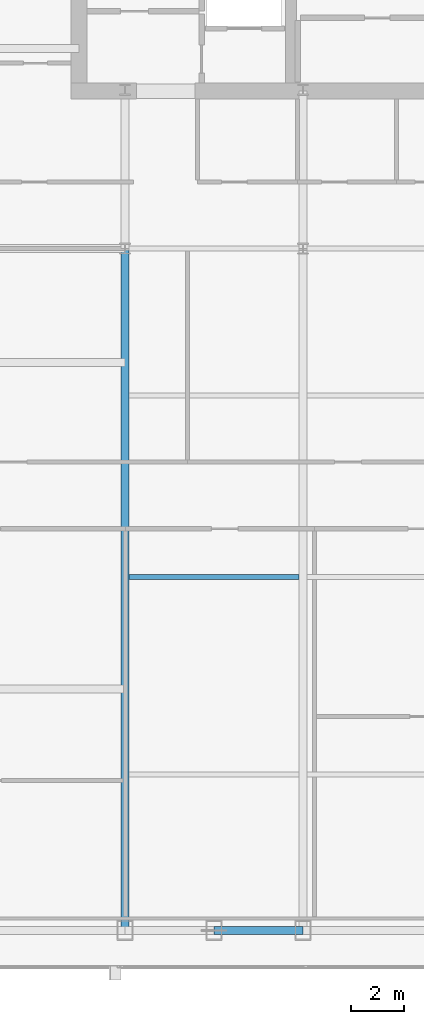
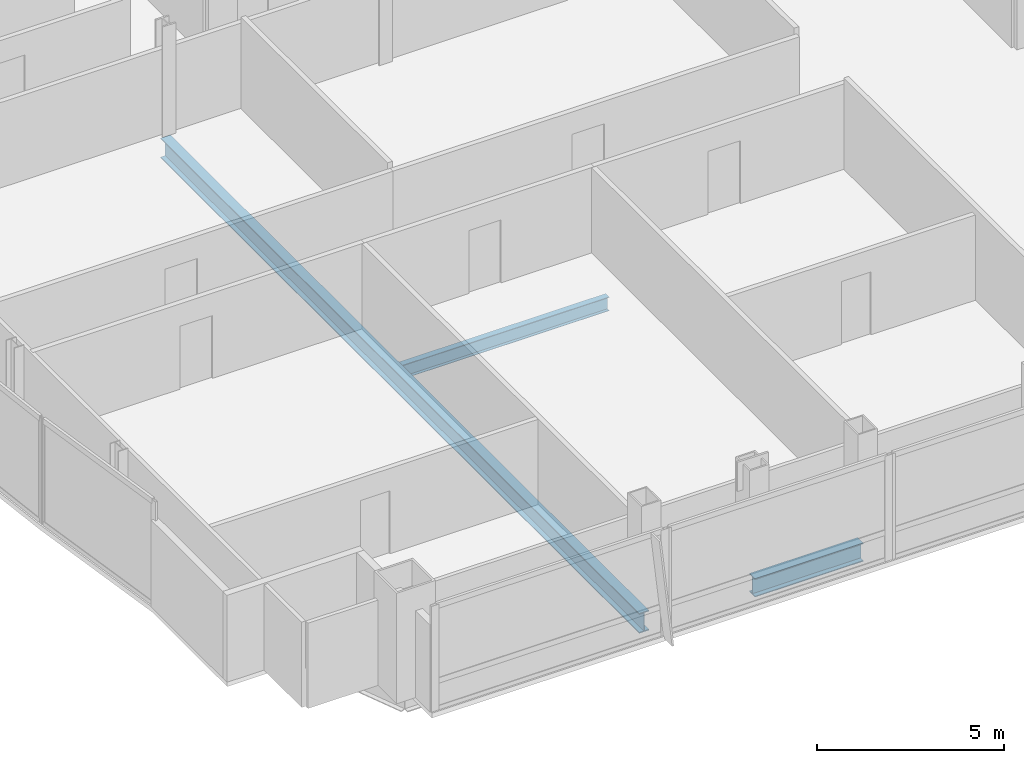
# One storey, part 7 of 32: 3 beams.
"""IFC4 building model written with IfcOpenShell, lengths in metres."""

from ifc_helpers import new_model, si_unit, direction, frame, origin, origin_2d, place, context, subcontext, project, spatial, i_section, extrude, material, material_profile, profile_set, type_object, element, save


model = new_model("IFC4")

# Units and contexts
model_context = context("Model", 3, precision=1e-05, world=origin(), true_north=direction((0.0, 1.0)))
body_context = subcontext(model_context, "Body", "Model", "MODEL_VIEW")
ifc_project = project(units=[si_unit("LENGTHUNIT", "METRE"), si_unit("AREAUNIT", "SQUARE_METRE"), si_unit("VOLUMEUNIT", "CUBIC_METRE"), si_unit("PLANEANGLEUNIT", "RADIAN"), si_unit("MASSUNIT", "GRAM", prefix="KILO")], contexts=[model_context])

# Site, building, storey
site_placement = place(None, origin())
site = spatial("IfcSite", under=ifc_project, at=site_placement, CompositionType="ELEMENT")
building_placement = place(site_placement, origin())
building = spatial("IfcBuilding", under=site, at=building_placement, Name="Khoronbel Lancet Exchange", CompositionType="ELEMENT")
storey_placement = place(building_placement, frame((0.0, 0.0, 228.199951171875)))
storey = spatial("IfcBuildingStorey", under=building, at=storey_placement, Name="L58", CompositionType="ELEMENT", Elevation=228.199951171875)

# Beams
ifc_material = material(Name="Steel S355", Category="steel")
ifc_material_profile_1 = material_profile(ifc_material, i_section(OverallWidth=0.300048828125, OverallDepth=0.64990234375, WebThickness=0.01611328125, FlangeThickness=0.031005859375, at=origin_2d()), Name="HEB 650")
ifc_profile_set_1 = profile_set([ifc_material_profile_1], Name="Steel S355")
beam_type_1 = type_object("IfcBeamType", Name="BM-BG4", PredefinedType="BEAM", material=ifc_profile_set_1)
beam_1_placement = place(storey_placement, frame((18.22509765625, 10.14990234375, -0.48486328125), z_axis=(0.0, 1.0, 0.0), x_axis=(-1.0, 0.0, 0.0)))
element("IfcBeam", 1, at=beam_1_placement, inside=storey, type_object=beam_type_1, Name="Level L58 south primary girder GS1", PredefinedType="BEAM", context=body_context, shape_type="SweptSolid", body=[
    extrude(i_section(OverallWidth=0.300048828125, OverallDepth=0.64990234375, WebThickness=0.01611328125, FlangeThickness=0.031005859375, at=origin_2d()), origin(), (0.0, 0.0, 1.0), 25.550048828125),
])
ifc_material_profile_2 = material_profile(ifc_material, i_section(OverallWidth=0.18994140625, OverallDepth=0.449951171875, WebThickness=0.009521484375, FlangeThickness=0.0146484375, at=origin_2d()), Name="IPE 450")
ifc_profile_set_2 = profile_set([ifc_material_profile_2], Name="Steel S355")
beam_type_2 = type_object("IfcBeamType", Name="BM-BJ4", PredefinedType="JOIST", material=ifc_profile_set_2)
beam_2_placement = place(storey_placement, frame((18.375, 23.39990234375, -0.385009765625), z_axis=(1.0, 0.0, 0.0), x_axis=(0.0, 1.0, 0.0)))
element("IfcBeam", 2, at=beam_2_placement, inside=storey, type_object=beam_type_2, Name="Level L58 secondary composite joist J06", PredefinedType="JOIST", context=body_context, shape_type="SweptSolid", body=[
    extrude(i_section(OverallWidth=0.18994140625, OverallDepth=0.449951171875, WebThickness=0.009521484375, FlangeThickness=0.0146484375, at=origin_2d()), origin(), (0.0, 0.0, 1.0), 6.375),
])
ifc_material_profile_3 = material_profile(ifc_material, i_section(OverallWidth=0.300048828125, OverallDepth=0.60009765625, WebThickness=0.015380859375, FlangeThickness=0.030029296875, at=origin_2d()), Name="HEB 600")
ifc_profile_set_3 = profile_set([ifc_material_profile_3], Name="Steel S355")
beam_type_3 = type_object("IfcBeamType", Name="BM-BSP2", PredefinedType="SPANDREL", material=ifc_profile_set_3)
beam_3_placement = place(storey_placement, frame((21.5625, 10.14990234375, -0.4599609375), z_axis=(1.0, 0.0, 0.0), x_axis=(0.0, 1.0, 0.0)))
element("IfcBeam", 3, at=beam_3_placement, inside=storey, type_object=beam_type_3, Name="Level L58 perimeter spandrel beam SP03", PredefinedType="SPANDREL", context=body_context, shape_type="SweptSolid", body=[
    extrude(i_section(OverallWidth=0.300048828125, OverallDepth=0.60009765625, WebThickness=0.015380859375, FlangeThickness=0.030029296875, at=origin_2d()), origin(), (0.0, 0.0, 1.0), 3.33740234375),
])

save(model, "model.ifc")
